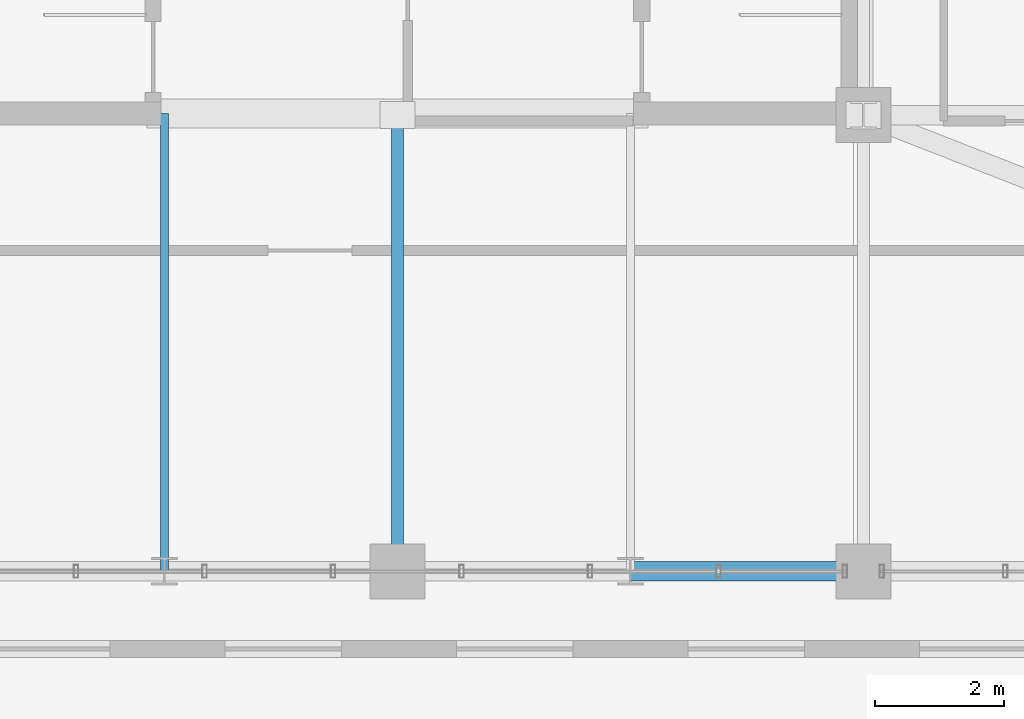
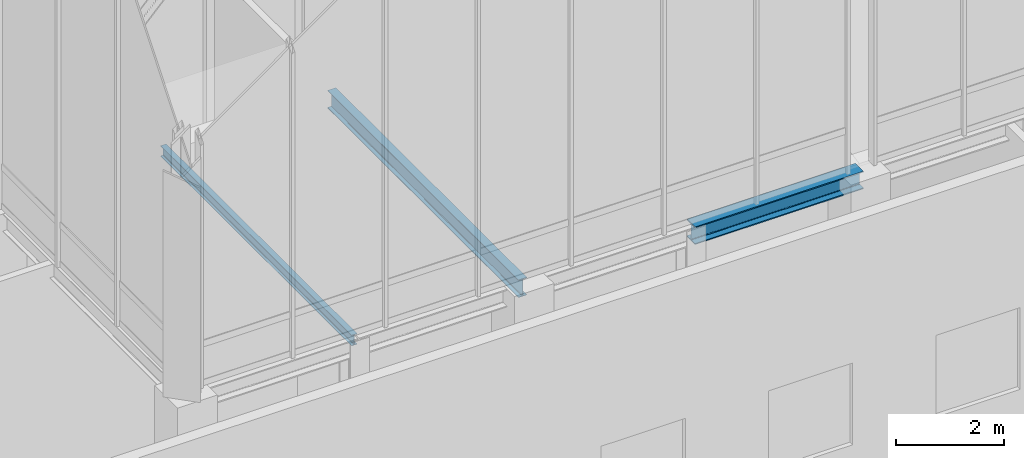
# One storey, part 12 of 49: 3 beams.
"""IFC4 building model written with IfcOpenShell, lengths in metres."""

import ifcopenshell
import ifcopenshell.guid

model = None  # the IFC model being written
_history = None  # IfcOwnerHistory: only IFC2X3 demands one
_inside = {}  # id of a spatial element -> (the spatial element, [elements in it])
_under = {}  # id of a project, library or spatial element -> (it, [spatial elements below it])
_declared = {}  # id of a project -> (the project, [libraries it declares])
_typed = {}  # id of a type object -> (the type object, [elements of that type])
_made_of = {}  # id of a material, layer set ... -> (it, [elements and type objects made of it])


def new_model(schema):
    """Start an empty IFC model of exactly this schema.

    Asked for "IFC4X3", IfcOpenShell would pick the latest addendum, in which some entities
    have other attributes; the version numbers below select the first issue.
    IFC2X3 requires an IfcOwnerHistory on every rooted entity: one is made here for all.
    """
    global model, _history
    if schema == "IFC4X3":
        model = ifcopenshell.file(schema_version=(4, 3, 0, 0))
    else:
        model = ifcopenshell.file(schema=schema)
    _inside.clear()
    _under.clear()
    _declared.clear()
    _typed.clear()
    _made_of.clear()
    _history = None
    if model.schema == "IFC2X3":
        org = make("IfcOrganization", Name="unknown")
        user = make(
            "IfcPersonAndOrganization",
            ThePerson=make("IfcPerson", FamilyName="unknown"),
            TheOrganization=org,
        )
        app = make(
            "IfcApplication",
            ApplicationDeveloper=org,
            Version="unknown",
            ApplicationFullName="unknown",
            ApplicationIdentifier="unknown",
        )
        _history = make(
            "IfcOwnerHistory",
            OwningUser=user,
            OwningApplication=app,
            ChangeAction="ADDED",
            CreationDate=0,
        )
    return model


def make(cls, **values):
    """One entity of the class cls with the attributes given. An attribute that is None is left unset."""
    return model.create_entity(
        cls, **{name: value for name, value in values.items() if value is not None}
    )


def rooted(cls, **values):
    """An entity with a GlobalId (a new one), such as an element, a storey or a relation."""
    return make(cls, GlobalId=ifcopenshell.guid.new(), OwnerHistory=_history, **values)


def si_unit(unit_type, name, prefix=None):
    """IfcSIUnit, for example si_unit("LENGTHUNIT", "METRE", prefix="MILLI")."""
    return make("IfcSIUnit", UnitType=unit_type, Prefix=prefix, Name=name)


def assignment(units):
    """IfcUnitAssignment: the units of a project."""
    return None if units is None else make("IfcUnitAssignment", Units=units)


def point(xyz):
    """IfcCartesianPoint."""
    return None if xyz is None else make("IfcCartesianPoint", Coordinates=xyz)


def direction(xyz):
    """IfcDirection."""
    return None if xyz is None else make("IfcDirection", DirectionRatios=xyz)


def frame(location, z_axis=None, x_axis=None):
    """IfcAxis2Placement3D, a coordinate frame: its origin and axes. An axis left out is left unset."""
    return make(
        "IfcAxis2Placement3D",
        Location=point(location),
        Axis=direction(z_axis),
        RefDirection=direction(x_axis),
    )


def frame_2d(location, x_axis=None):
    """IfcAxis2Placement2D, a coordinate frame in the plane: its origin and x axis."""
    return make(
        "IfcAxis2Placement2D", Location=point(location), RefDirection=direction(x_axis)
    )


def origin():
    """The frame at (0, 0, 0) with its axes left unset."""
    return frame((0.0, 0.0, 0.0))


def origin_2d():
    """The frame at (0, 0) in the plane with its x axis left unset."""
    return frame_2d((0.0, 0.0))


def place(relative_to, where):
    """IfcLocalPlacement: puts the frame where relative to a parent placement (None: the world)."""
    return make(
        "IfcLocalPlacement", PlacementRelTo=relative_to, RelativePlacement=where
    )


def context(
    kind, dimensions, precision=None, world=None, true_north=None, identifier=None
):
    """IfcGeometricRepresentationContext, for example the 3D "Model" context."""
    return make(
        "IfcGeometricRepresentationContext",
        ContextIdentifier=identifier,
        ContextType=kind,
        CoordinateSpaceDimension=dimensions,
        Precision=precision,
        WorldCoordinateSystem=world,
        TrueNorth=true_north,
    )


def subcontext(parent, identifier, kind, view, scale=None):
    """IfcGeometricRepresentationSubContext, for example "Body" below "Model"."""
    return make(
        "IfcGeometricRepresentationSubContext",
        ContextIdentifier=identifier,
        ContextType=kind,
        ParentContext=parent,
        TargetScale=scale,
        TargetView=view,
    )


def project(units=None, contexts=None):
    """IfcProject with its units and contexts."""
    return rooted(
        "IfcProject",
        Name="project",
        RepresentationContexts=contexts,
        UnitsInContext=assignment(units),
    )


def spatial(cls, under=None, at=None, **own):
    """A site, building, storey or space (cls), placed at a placement, below another one or the project."""
    s = rooted(cls, ObjectPlacement=at, **own)
    if under is not None:
        _under.setdefault(under.id(), (under, []))[1].append(s)
    return s


def profile(cls, at=None, kind="AREA", **sizes):
    """A parametric profile (cls). Its sizes go by their IFC names, for example OverallWidth=200.0."""
    return make(cls, ProfileType=kind, Position=at, **sizes)


def i_section(**sizes):
    """IfcIShapeProfileDef."""
    return profile("IfcIShapeProfileDef", **sizes)


def extrude(swept, where, along, depth):
    """IfcExtrudedAreaSolid: the profile swept, set in the frame where, extruded along a direction by depth."""
    return make(
        "IfcExtrudedAreaSolid",
        SweptArea=swept,
        Position=where,
        ExtrudedDirection=direction(along),
        Depth=depth,
    )


def shape(context_of_items, identifier, shape_type, items):
    """IfcShapeRepresentation: the items that make up one representation, for example the "Body"."""
    return make(
        "IfcShapeRepresentation",
        ContextOfItems=context_of_items,
        RepresentationIdentifier=identifier,
        RepresentationType=shape_type,
        Items=items,
    )


def source(mapping_origin, context_of_items, identifier, shape_type, items):
    """IfcRepresentationMap: a shape defined once, which mapped items show again and again."""
    return make(
        "IfcRepresentationMap",
        MappingOrigin=mapping_origin,
        MappedRepresentation=shape(context_of_items, identifier, shape_type, items),
    )


def transform(
    local_origin,
    x_axis=None,
    y_axis=None,
    z_axis=None,
    scale=None,
    scale2=None,
    scale3=None,
    uniform=True,
):
    """IfcCartesianTransformationOperator3D, or its non-uniform kind. x_axis, y_axis, z_axis: its Axis1, 2, 3."""
    if uniform:
        return make(
            "IfcCartesianTransformationOperator3D",
            Axis1=direction(x_axis),
            Axis2=direction(y_axis),
            LocalOrigin=point(local_origin),
            Scale=scale,
            Axis3=direction(z_axis),
        )
    return make(
        "IfcCartesianTransformationOperator3DnonUniform",
        Axis1=direction(x_axis),
        Axis2=direction(y_axis),
        LocalOrigin=point(local_origin),
        Scale=scale,
        Axis3=direction(z_axis),
        Scale2=scale2,
        Scale3=scale3,
    )


def mapped(mapping_source, mapping_target):
    """IfcMappedItem: shows the shape of a source again, moved by a transform."""
    return make(
        "IfcMappedItem", MappingSource=mapping_source, MappingTarget=mapping_target
    )


def material(Name=None, Category=None):
    """IfcMaterial."""
    return make("IfcMaterial", Name=Name, Category=Category)


def material_profile(
    of_material, cross_section, Name=None, Category=None, Priority=None
):
    """IfcMaterialProfile: a cross section and its material."""
    return make(
        "IfcMaterialProfile",
        Name=Name,
        Material=of_material,
        Profile=cross_section,
        Priority=Priority,
        Category=Category,
    )


def profile_set(profiles, Name=None, composite=None):
    """IfcMaterialProfileSet."""
    return make(
        "IfcMaterialProfileSet",
        Name=Name,
        MaterialProfiles=profiles,
        CompositeProfile=composite,
    )


def made_of(thing, what):
    """Note that an element or type object is made of a material, layer set ...; save() writes the relation."""
    if what is not None:
        _made_of.setdefault(what.id(), (what, []))[1].append(thing)
    return thing


def type_object(cls, material=None, **own):
    """A type object (cls), such as IfcWallType, which elements share."""
    return made_of(rooted(cls, **own), material)


def element(
    cls,
    number,
    at=None,
    inside=None,
    cuts=None,
    type_object=None,
    material=None,
    context=None,
    identifier="Body",
    shape_type=None,
    held_by="IfcProductDefinitionShape",
    body=None,
    shapes=None,
    **own,
):
    """One element of the class cls, such as IfcWall. Its Tag is "e" and its number.

    at: its placement. inside: the storey or other place that contains it. cuts: it is an
    opening in that element (IfcRelVoidsElement). A single representation is given by context,
    identifier, shape_type and body (its items); several are given by shapes. held_by: the class
    of the entity that holds the representations. save() writes the other relations.
    """
    e = rooted(cls, Tag="e%d" % number, ObjectPlacement=at, **own)
    if body is not None:
        shapes = [shape(context, identifier, shape_type, body)]
    if shapes is not None:
        e.Representation = make(held_by, Representations=shapes)
    if inside is not None:
        _inside.setdefault(inside.id(), (inside, []))[1].append(e)
    if cuts is not None:
        rooted(
            "IfcRelVoidsElement", RelatingBuildingElement=cuts, RelatedOpeningElement=e
        )
    if type_object is not None:
        _typed.setdefault(type_object.id(), (type_object, []))[1].append(e)
    return made_of(e, material)


def aggregate(whole, parts):
    """IfcRelAggregates: a whole, such as a stair, and the parts it consists of."""
    return rooted("IfcRelAggregates", RelatingObject=whole, RelatedObjects=parts)


def save(model, path):
    """Write the relations noted so far, then the file.

    IfcRelAggregates (storeys below a building ...), IfcRelContainedInSpatialStructure (elements
    in a storey), IfcRelDefinesByType, IfcRelAssociatesMaterial and IfcRelDeclares: one each for
    every whole, place, type object, material and project.
    """
    for whole, parts in _under.values():
        aggregate(whole, parts)
    for where, things in _inside.values():
        rooted(
            "IfcRelContainedInSpatialStructure",
            RelatedElements=things,
            RelatingStructure=where,
        )
    for kind, things in _typed.values():
        rooted("IfcRelDefinesByType", RelatedObjects=things, RelatingType=kind)
    for what, things in _made_of.values():
        rooted("IfcRelAssociatesMaterial", RelatedObjects=things, RelatingMaterial=what)
    for by, libraries in _declared.values():
        rooted("IfcRelDeclares", RelatingContext=by, RelatedDefinitions=libraries)
    model.write(path)


model = new_model("IFC4")

# Units and contexts
model_context = context("Model", 3, precision=1e-05, world=origin(), true_north=direction((0.0, 1.0)))
body_context = subcontext(model_context, "Body", "Model", "MODEL_VIEW")
ifc_project = project(units=[si_unit("LENGTHUNIT", "METRE"), si_unit("AREAUNIT", "SQUARE_METRE"), si_unit("VOLUMEUNIT", "CUBIC_METRE"), si_unit("PLANEANGLEUNIT", "RADIAN"), si_unit("MASSUNIT", "GRAM", prefix="KILO")], contexts=[model_context])

# Site, building, storey
site_placement = place(None, origin())
site = spatial("IfcSite", under=ifc_project, at=site_placement, CompositionType="ELEMENT")
building_placement = place(site_placement, origin())
building = spatial("IfcBuilding", under=site, at=building_placement, Name="Kaliganga Portal Commons", CompositionType="ELEMENT")
storey_placement = place(building_placement, frame((0.0, 0.0, 298.0)))
storey = spatial("IfcBuildingStorey", under=building, at=storey_placement, Name="L77", CompositionType="ELEMENT", Elevation=298.0)

# Beams
ifc_material = material(Name="Structural steel S355J2", Category="steel")
ifc_material_profile_1 = material_profile(ifc_material, i_section(OverallWidth=0.300048828125, OverallDepth=0.39990234375, WebThickness=0.013427734375, FlangeThickness=0.02392578125, FilletRadius=0.027099609375, at=origin_2d()), Name="HE 400 B")
ifc_profile_set_1 = profile_set([ifc_material_profile_1], Name="Structural steel S355J2 wide-flange")
beam_type_1 = type_object("IfcBeamType", Name="BM-SPAND-400", PredefinedType="SPANDREL", material=ifc_profile_set_1)
shared_shape_1 = source(origin(), body_context, "Body", "SweptSolid", [
    extrude(i_section(OverallWidth=0.300048828125, OverallDepth=0.39990234375, WebThickness=0.013427734375, FlangeThickness=0.02392578125, FilletRadius=0.027099609375, at=origin_2d()), origin(), (0.0, 0.0, 1.0), 3.60009765625),
])
beam_1_placement = place(storey_placement, frame((25.199951171875, 21.60009765625, 5.800048828125), z_axis=(1.0, 0.0, 0.0), x_axis=(0.0, 1.0, 0.0)))
element("IfcBeam", 1, at=beam_1_placement, inside=storey, type_object=beam_type_1, Name="BM SP L77 AS 4", PredefinedType="SPANDREL", context=body_context, shape_type="MappedRepresentation", body=[
    mapped(shared_shape_1, transform((0.0, 0.0, 0.0), x_axis=(1.0, 0.0, 0.0), y_axis=(0.0, 1.0, 0.0), z_axis=(0.0, 0.0, 1.0), scale=1.0)),
])
ifc_material_profile_2 = material_profile(ifc_material, i_section(OverallWidth=0.179931640625, OverallDepth=0.39990234375, WebThickness=0.008544921875, FlangeThickness=0.013427734375, FilletRadius=0.02099609375, at=origin_2d()), Name="IPE 400")
ifc_profile_set_2 = profile_set([ifc_material_profile_2], Name="Structural steel S355J2 wide-flange")
beam_type_2 = type_object("IfcBeamType", Name="BM-FLR-400", PredefinedType="BEAM", material=ifc_profile_set_2)
shared_shape_2 = source(origin(), body_context, "Body", "SweptSolid", [
    extrude(i_section(OverallWidth=0.179931640625, OverallDepth=0.39990234375, WebThickness=0.008544921875, FlangeThickness=0.013427734375, FilletRadius=0.02099609375, at=origin_2d()), origin(), (0.0, 0.0, 1.0), 7.074951171875),
])
beam_2_placement = place(storey_placement, frame((21.60009765625, 21.60009765625, 5.800048828125), z_axis=(0.0, 1.0, 0.0), x_axis=(-1.0, 0.0, 0.0)))
element("IfcBeam", 2, at=beam_2_placement, inside=storey, type_object=beam_type_2, Name="BM G L77 AS216", PredefinedType="BEAM", context=body_context, shape_type="MappedRepresentation", body=[
    mapped(shared_shape_2, transform((0.0, 0.0, 0.0), x_axis=(1.0, 0.0, 0.0), y_axis=(0.0, 1.0, 0.0), z_axis=(0.0, 0.0, 1.0), scale=1.0)),
])
ifc_material_profile_3 = material_profile(ifc_material, i_section(OverallWidth=0.1201171875, OverallDepth=0.239990234375, WebThickness=0.006103515625, FlangeThickness=0.009765625, FilletRadius=0.014892578125, at=origin_2d()), Name="IPE 240")
ifc_profile_set_3 = profile_set([ifc_material_profile_3], Name="Structural steel S355J2 wide-flange")
beam_type_3 = type_object("IfcBeamType", Name="BM-JST-240", PredefinedType="JOIST", material=ifc_profile_set_3)
shared_shape_3 = source(origin(), body_context, "Body", "SweptSolid", [
    extrude(i_section(OverallWidth=0.1201171875, OverallDepth=0.239990234375, WebThickness=0.006103515625, FlangeThickness=0.009765625, FilletRadius=0.014892578125, at=origin_2d()), origin(), (0.0, 0.0, 1.0), 7.074951171875),
])
beam_3_placement = place(storey_placement, frame((18.0, 21.60009765625, 5.8798828125), z_axis=(0.0, 1.0, 0.0), x_axis=(-1.0, 0.0, 0.0)))
element("IfcBeam", 3, at=beam_3_placement, inside=storey, type_object=beam_type_3, Name="BM G L77 AS180", PredefinedType="JOIST", context=body_context, shape_type="MappedRepresentation", body=[
    mapped(shared_shape_3, transform((0.0, 0.0, 0.0), x_axis=(1.0, 0.0, 0.0), y_axis=(0.0, 1.0, 0.0), z_axis=(0.0, 0.0, 1.0), scale=1.0)),
])

save(model, "model.ifc")
